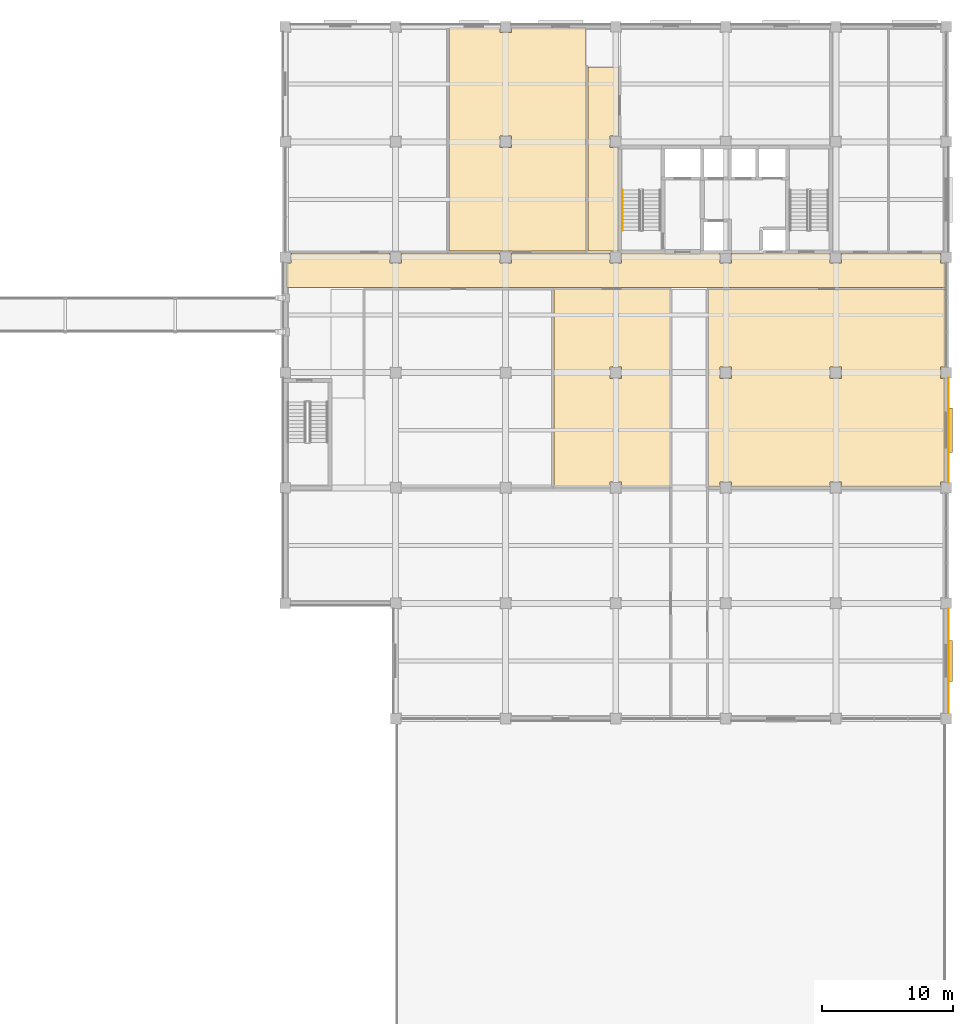
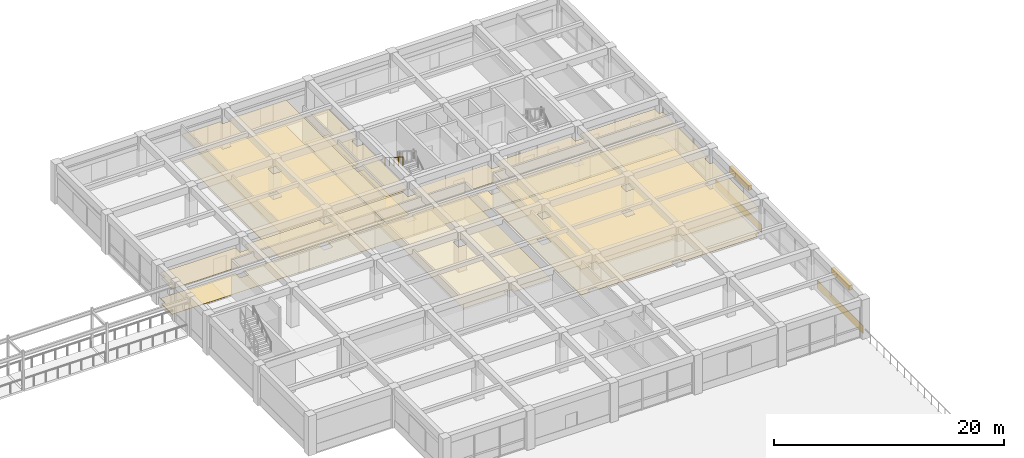
# One storey, part 55 of 57: 11 coverings, 2 shading devices, 1 railing.
"""IFC4 building model written with IfcOpenShell, lengths in metres."""

from ifc_helpers import new_model, si_unit, direction, frame, origin, origin_2d, place, context, subcontext, project, spatial, polyline, rectangle, circle, outline, extrude, material, layer, layer_set, type_object, element, save


model = new_model("IFC4")

# Units and contexts
model_context = context("Model", 3, precision=1e-05, world=origin(), true_north=direction((0.0, 1.0)))
body_context = subcontext(model_context, "Body", "Model", "MODEL_VIEW")
ifc_project = project(units=[si_unit("LENGTHUNIT", "METRE"), si_unit("AREAUNIT", "SQUARE_METRE"), si_unit("VOLUMEUNIT", "CUBIC_METRE"), si_unit("PLANEANGLEUNIT", "RADIAN"), si_unit("MASSUNIT", "GRAM", prefix="KILO")], contexts=[model_context])

# Site, building, storey
site_placement = place(None, origin())
site = spatial("IfcSite", under=ifc_project, at=site_placement, CompositionType="ELEMENT")
building_placement = place(site_placement, origin())
building = spatial("IfcBuilding", under=site, at=building_placement, Name="Kemercrest Conservatory and Botanical Centre", CompositionType="ELEMENT")
storey_placement = place(building_placement, frame((0.0, 0.0, 4.800048828125)))
storey = spatial("IfcBuildingStorey", under=building, at=storey_placement, Name="L01", CompositionType="ELEMENT", Elevation=4.800048828125)

# Coverings
ifc_material_1 = material(Name="Honed limestone almasik ashlar rainscreen", Category="masonry")
ifc_layer_1 = layer(ifc_material_1, 0.0400390625)
ifc_layer_set_1 = layer_set([ifc_layer_1], Name="Honed limestone almasik ashlar rainscreen")
covering_type_1 = type_object("IfcCoveringType", Name="CV-CLD040", PredefinedType="CLADDING", material=ifc_layer_set_1)
covering_1_placement = place(storey_placement, origin())
element("IfcCovering", 1, at=covering_1_placement, inside=storey, type_object=covering_type_1, Name="Exterior stone spandrel cladding (WAL:L01:EXT-178)", PredefinedType="CLADDING", context=body_context, shape_type="SweptSolid", body=[
    extrude(outline(polyline([(176.14990234375, 70.010009765625), (176.18994140625, 70.010009765625), (176.18994140625, 77.989990234375), (176.14990234375, 77.989990234375), (176.14990234375, 70.010009765625)])), origin(), (0.0, 0.0, 1.0), 0.849853515625),
])
covering_2_placement = place(storey_placement, origin())
element("IfcCovering", 2, at=covering_2_placement, inside=storey, type_object=covering_type_1, Name="Exterior stone spandrel cladding (WAL:L01:EXT-179)", PredefinedType="CLADDING", context=body_context, shape_type="SweptSolid", body=[
    extrude(outline(polyline([(176.14990234375, 87.610107421875), (176.18994140625, 87.610107421875), (176.18994140625, 95.590087890625), (176.14990234375, 95.590087890625), (176.14990234375, 87.610107421875)])), origin(), (0.0, 0.0, 1.0), 0.849853515625),
])
ifc_material_2 = material(Name="Perforated acoustic gypsum and mineral-fibre suspended ceiling", Category="gypsum")
ifc_layer_2 = layer(ifc_material_2, 0.034912109375)
ifc_layer_set_2 = layer_set([ifc_layer_2], Name="Perforated acoustic gypsum and mineral-fibre suspended ceiling")
covering_type_2 = type_object("IfcCoveringType", Name="CV-CLG035", PredefinedType="CEILING", material=ifc_layer_set_2)
covering_3_placement = place(storey_placement, frame((0.0, 0.0, 2.699951171875)))
element("IfcCovering", 3, at=covering_3_placement, inside=storey, type_object=covering_type_2, Name="Level L01 Research Corridor suspended acoustic ceiling", PredefinedType="CEILING", context=body_context, shape_type="SweptSolid", body=[
    extrude(outline(polyline([(125.679931640625, 102.47998046875), (175.919921875, 102.47998046875), (175.919921875, 104.360107421875), (175.56005859375, 104.360107421875), (175.56005859375, 105.1201171875), (168.0400390625, 105.1201171875), (168.0400390625, 104.360107421875), (167.159912109375, 104.360107421875), (167.159912109375, 105.1201171875), (159.639892578125, 105.1201171875), (159.639892578125, 104.360107421875), (158.760009765625, 104.360107421875), (158.760009765625, 105.1201171875), (151.239990234375, 105.1201171875), (151.239990234375, 104.360107421875), (150.360107421875, 104.360107421875), (150.360107421875, 105.1201171875), (142.840087890625, 105.1201171875), (142.840087890625, 104.360107421875), (141.9599609375, 104.360107421875), (141.9599609375, 105.1201171875), (134.43994140625, 105.1201171875), (134.43994140625, 104.360107421875), (133.56005859375, 104.360107421875), (133.56005859375, 105.1201171875), (126.0400390625, 105.1201171875), (126.0400390625, 104.360107421875), (125.679931640625, 104.360107421875), (125.679931640625, 102.47998046875)])), origin(), (0.0, 0.0, 1.0), 0.034912109375),
])
covering_4_placement = place(storey_placement, frame((0.0, 0.0, 2.699951171875)))
element("IfcCovering", 4, at=covering_4_placement, inside=storey, type_object=covering_type_2, Name="Analytical Chemistry Laboratory suspended acoustic ceiling", PredefinedType="CEILING", context=body_context, shape_type="SweptSolid", body=[
    extrude(outline(polyline([(150.360107421875, 87.639892578125), (151.239990234375, 87.639892578125), (151.239990234375, 87.280029296875), (154.919921875, 87.280029296875), (154.919921875, 102.320068359375), (146.080078125, 102.320068359375), (146.080078125, 87.280029296875), (150.360107421875, 87.280029296875), (150.360107421875, 87.639892578125)]), holes=[polyline([(150.360107421875, 95.56005859375), (150.360107421875, 96.43994140625), (151.239990234375, 96.43994140625), (151.239990234375, 95.56005859375), (150.360107421875, 95.56005859375)])]), origin(), (0.0, 0.0, 1.0), 0.034912109375),
])
covering_5_placement = place(storey_placement, frame((0.0, 0.0, 2.699951171875)))
element("IfcCovering", 5, at=covering_5_placement, inside=storey, type_object=covering_type_2, Name="Plant Physiology Research Laboratory suspended acoustic ceiling", PredefinedType="CEILING", context=body_context, shape_type="SweptSolid", body=[
    extrude(outline(polyline([(167.159912109375, 87.639892578125), (168.0400390625, 87.639892578125), (168.0400390625, 87.280029296875), (175.56005859375, 87.280029296875), (175.56005859375, 87.639892578125), (175.919921875, 87.639892578125), (175.919921875, 95.56005859375), (175.56005859375, 95.56005859375), (175.56005859375, 96.43994140625), (175.919921875, 96.43994140625), (175.919921875, 102.320068359375), (157.8798828125, 102.320068359375), (157.8798828125, 87.280029296875), (158.760009765625, 87.280029296875), (158.760009765625, 87.639892578125), (159.639892578125, 87.639892578125), (159.639892578125, 87.280029296875), (167.159912109375, 87.280029296875), (167.159912109375, 87.639892578125)]), holes=[polyline([(167.159912109375, 95.56005859375), (167.159912109375, 96.43994140625), (168.0400390625, 96.43994140625), (168.0400390625, 95.56005859375), (167.159912109375, 95.56005859375)]), polyline([(158.760009765625, 95.56005859375), (158.760009765625, 96.43994140625), (159.639892578125, 96.43994140625), (159.639892578125, 95.56005859375), (158.760009765625, 95.56005859375)])]), origin(), (0.0, 0.0, 1.0), 0.034912109375),
])
covering_6_placement = place(storey_placement, frame((0.0, 0.0, 2.699951171875)))
element("IfcCovering", 6, at=covering_6_placement, inside=storey, type_object=covering_type_2, Name="Microscopy Studio suspended acoustic ceiling", PredefinedType="CEILING", context=body_context, shape_type="SweptSolid", body=[
    extrude(outline(polyline([(141.9599609375, 122.320068359375), (138.080078125, 122.320068359375), (138.080078125, 105.280029296875), (148.52001953125, 105.280029296875), (148.52001953125, 122.320068359375), (142.840087890625, 122.320068359375), (142.840087890625, 121.9599609375), (141.9599609375, 121.9599609375), (141.9599609375, 122.320068359375)]), holes=[polyline([(142.840087890625, 113.159912109375), (141.9599609375, 113.159912109375), (141.9599609375, 114.0400390625), (142.840087890625, 114.0400390625), (142.840087890625, 113.159912109375)])]), origin(), (0.0, 0.0, 1.0), 0.034912109375),
])
covering_7_placement = place(storey_placement, frame((0.0, 0.0, 2.699951171875)))
element("IfcCovering", 7, at=covering_7_placement, inside=storey, type_object=covering_type_2, Name="North Core Lobby Branch suspended acoustic ceiling", PredefinedType="CEILING", context=body_context, shape_type="SweptSolid", body=[
    extrude(outline(polyline([(148.679931640625, 105.280029296875), (151.02001953125, 105.280029296875), (151.02001953125, 113.159912109375), (150.360107421875, 113.159912109375), (150.360107421875, 114.0400390625), (151.02001953125, 114.0400390625), (151.02001953125, 119.320068359375), (148.679931640625, 119.320068359375), (148.679931640625, 105.280029296875)])), origin(), (0.0, 0.0, 1.0), 0.034912109375),
])
ifc_material_3 = material(Name="Polished limestone terrazzo and seamless laboratory epoxy flooring", Category="masonry")
ifc_layer_3 = layer(ifc_material_3, 0.02001953125)
ifc_layer_set_3 = layer_set([ifc_layer_3], Name="Polished limestone terrazzo and seamless laboratory epoxy flooring")
covering_type_3 = type_object("IfcCoveringType", Name="CV-FLR020", PredefinedType="FLOORING", material=ifc_layer_set_3)
covering_8_placement = place(storey_placement, origin())
element("IfcCovering", 8, at=covering_8_placement, inside=storey, type_object=covering_type_3, Name="Level L01 Research Corridor floor finish", PredefinedType="FLOORING", context=body_context, shape_type="SweptSolid", body=[
    extrude(outline(polyline([(125.679931640625, 102.47998046875), (175.919921875, 102.47998046875), (175.919921875, 104.360107421875), (175.56005859375, 104.360107421875), (175.56005859375, 105.1201171875), (168.0400390625, 105.1201171875), (168.0400390625, 104.360107421875), (167.159912109375, 104.360107421875), (167.159912109375, 105.1201171875), (159.639892578125, 105.1201171875), (159.639892578125, 104.360107421875), (158.760009765625, 104.360107421875), (158.760009765625, 105.1201171875), (151.239990234375, 105.1201171875), (151.239990234375, 104.360107421875), (150.360107421875, 104.360107421875), (150.360107421875, 105.1201171875), (142.840087890625, 105.1201171875), (142.840087890625, 104.360107421875), (141.9599609375, 104.360107421875), (141.9599609375, 105.1201171875), (134.43994140625, 105.1201171875), (134.43994140625, 104.360107421875), (133.56005859375, 104.360107421875), (133.56005859375, 105.1201171875), (126.0400390625, 105.1201171875), (126.0400390625, 104.360107421875), (125.679931640625, 104.360107421875), (125.679931640625, 102.47998046875)])), origin(), (0.0, 0.0, 1.0), 0.02001953125),
])
covering_9_placement = place(storey_placement, origin())
element("IfcCovering", 9, at=covering_9_placement, inside=storey, type_object=covering_type_3, Name="Plant Physiology Research Laboratory floor finish", PredefinedType="FLOORING", context=body_context, shape_type="SweptSolid", body=[
    extrude(outline(polyline([(167.159912109375, 87.639892578125), (168.0400390625, 87.639892578125), (168.0400390625, 87.280029296875), (175.56005859375, 87.280029296875), (175.56005859375, 87.639892578125), (175.919921875, 87.639892578125), (175.919921875, 95.56005859375), (175.56005859375, 95.56005859375), (175.56005859375, 96.43994140625), (175.919921875, 96.43994140625), (175.919921875, 102.320068359375), (157.8798828125, 102.320068359375), (157.8798828125, 87.280029296875), (158.760009765625, 87.280029296875), (158.760009765625, 87.639892578125), (159.639892578125, 87.639892578125), (159.639892578125, 87.280029296875), (167.159912109375, 87.280029296875), (167.159912109375, 87.639892578125)]), holes=[polyline([(167.159912109375, 95.56005859375), (167.159912109375, 96.43994140625), (168.0400390625, 96.43994140625), (168.0400390625, 95.56005859375), (167.159912109375, 95.56005859375)]), polyline([(158.760009765625, 95.56005859375), (158.760009765625, 96.43994140625), (159.639892578125, 96.43994140625), (159.639892578125, 95.56005859375), (158.760009765625, 95.56005859375)])]), origin(), (0.0, 0.0, 1.0), 0.02001953125),
])
covering_10_placement = place(storey_placement, origin())
element("IfcCovering", 10, at=covering_10_placement, inside=storey, type_object=covering_type_3, Name="Microscopy Studio floor finish", PredefinedType="FLOORING", context=body_context, shape_type="SweptSolid", body=[
    extrude(outline(polyline([(141.9599609375, 122.320068359375), (138.080078125, 122.320068359375), (138.080078125, 105.280029296875), (148.52001953125, 105.280029296875), (148.52001953125, 122.320068359375), (142.840087890625, 122.320068359375), (142.840087890625, 121.9599609375), (141.9599609375, 121.9599609375), (141.9599609375, 122.320068359375)]), holes=[polyline([(142.840087890625, 113.159912109375), (141.9599609375, 113.159912109375), (141.9599609375, 114.0400390625), (142.840087890625, 114.0400390625), (142.840087890625, 113.159912109375)])]), origin(), (0.0, 0.0, 1.0), 0.02001953125),
])
covering_11_placement = place(storey_placement, origin())
element("IfcCovering", 11, at=covering_11_placement, inside=storey, type_object=covering_type_3, Name="North Core Lobby Branch floor finish", PredefinedType="FLOORING", context=body_context, shape_type="SweptSolid", body=[
    extrude(outline(polyline([(148.679931640625, 105.280029296875), (151.02001953125, 105.280029296875), (151.02001953125, 113.159912109375), (150.360107421875, 113.159912109375), (150.360107421875, 114.0400390625), (151.02001953125, 114.0400390625), (151.02001953125, 119.320068359375), (148.679931640625, 119.320068359375), (148.679931640625, 105.280029296875)])), origin(), (0.0, 0.0, 1.0), 0.02001953125),
])

# Railing
ifc_material_4 = material(Name="Brushed stainless steel wall-mounted handrail", Category="steel")
railing_type = type_object("IfcRailingType", Name="HR-STR090", PredefinedType="HANDRAIL", material=ifc_material_4)
railing_placement = place(storey_placement, frame((151.31005859375, 109.919921875, 2.27490234375)))
element("IfcRailing", 12, at=railing_placement, inside=storey, type_object=railing_type, Name="L01 ST-V4A stair handrail 2", PredefinedType="HANDRAIL", context=body_context, shape_type="SweptSolid", body=[
    extrude(circle(Radius=0.02392578125, at=origin_2d()), frame((0.0, 0.0, 0.8759765625), z_axis=(0.0, -0.847979421464, 0.530029150871), x_axis=(1.0, 0.0, 0.0)), (0.0, 0.0, 1.0), 3.632080078125),
    extrude(circle(Radius=0.02099609375, at=origin_2d()), origin(), (0.0, 0.0, 1.0), 0.851806640625),
    extrude(circle(Radius=0.02099609375, at=origin_2d()), frame((0.0, -0.77001953125, 0.481201171875)), (0.0, 0.0, 1.0), 0.851806640625),
    extrude(circle(Radius=0.02099609375, at=origin_2d()), frame((0.0, -1.5400390625, 0.96240234375)), (0.0, 0.0, 1.0), 0.851806640625),
    extrude(circle(Radius=0.02099609375, at=origin_2d()), frame((0.0, -2.309814453125, 1.44384765625)), (0.0, 0.0, 1.0), 0.851806640625),
    extrude(circle(Radius=0.02099609375, at=origin_2d()), frame((0.0, -3.079833984375, 1.925048828125)), (0.0, 0.0, 1.0), 0.851806640625),
])

# Shading devices
ifc_material_5 = material(Name="Architectural bronze-anodized extruded aluminium", Category="aluminium")
shading_device_type_1 = type_object("IfcShadingDeviceType", Name="SH-JL04", PredefinedType="JALOUSIE", material=ifc_material_5)
shading_device_1_placement = place(storey_placement, frame((176.322998046875, 74.0, 3.079833984375), z_axis=(0.0, 0.0, 1.0), x_axis=(0.0, 1.0, 0.0)))
element("IfcShadingDevice", 13, at=shading_device_1_placement, inside=storey, type_object=shading_device_type_1, Name="Solar control louvre visor SH-JL04 (WIN:L01:EXT-178)", PredefinedType="JALOUSIE", context=body_context, shape_type="SweptSolid", body=[
    extrude(rectangle(XDim=3.10009765625, YDim=0.35009765625, at=origin_2d()), origin(), (0.0, 0.0, 1.0), 0.5),
])
shading_device_type_2 = type_object("IfcShadingDeviceType", Name="SH-JL05", PredefinedType="JALOUSIE", material=ifc_material_5)
shading_device_2_placement = place(storey_placement, frame((176.322998046875, 91.60009765625, 3.079833984375), z_axis=(0.0, 0.0, 1.0), x_axis=(0.0, 1.0, 0.0)))
element("IfcShadingDevice", 14, at=shading_device_2_placement, inside=storey, type_object=shading_device_type_2, Name="Solar control louvre visor SH-JL05 (WIN:L01:EXT-179)", PredefinedType="JALOUSIE", context=body_context, shape_type="SweptSolid", body=[
    extrude(rectangle(XDim=3.39990234375, YDim=0.35009765625, at=origin_2d()), origin(), (0.0, 0.0, 1.0), 0.5),
])

save(model, "model.ifc")
